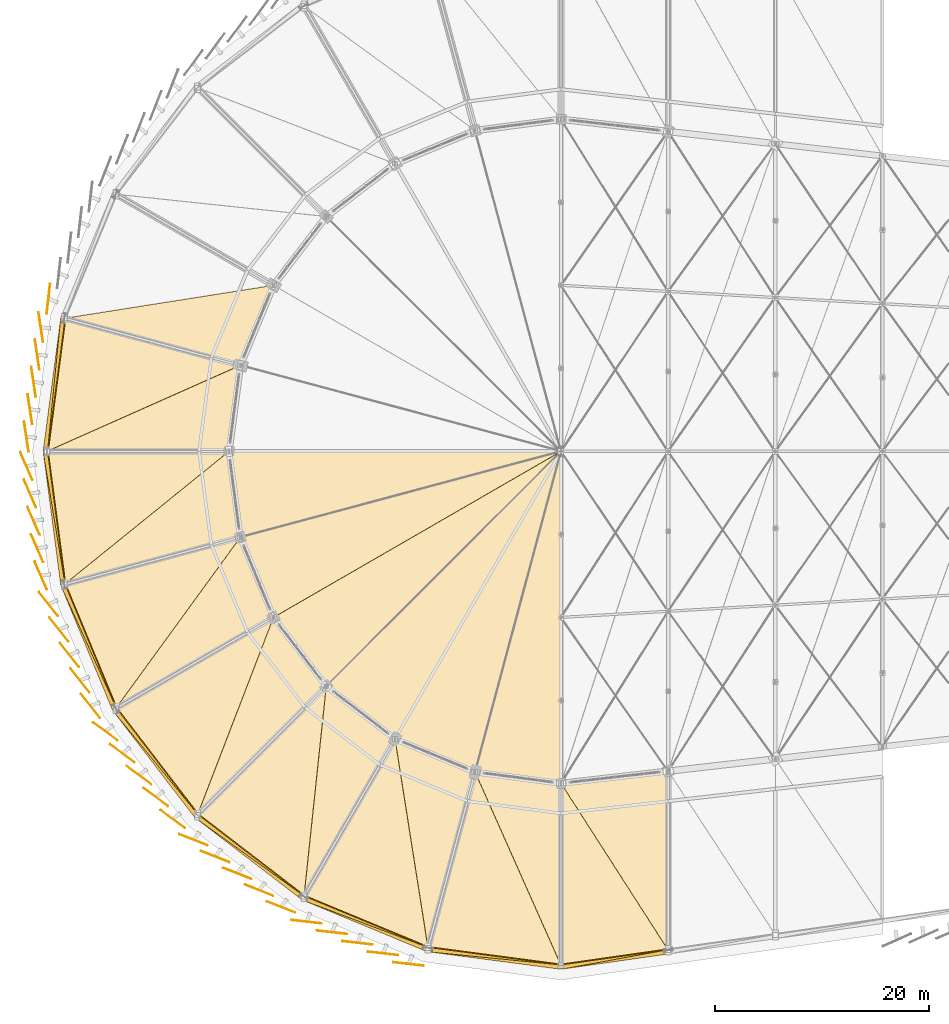
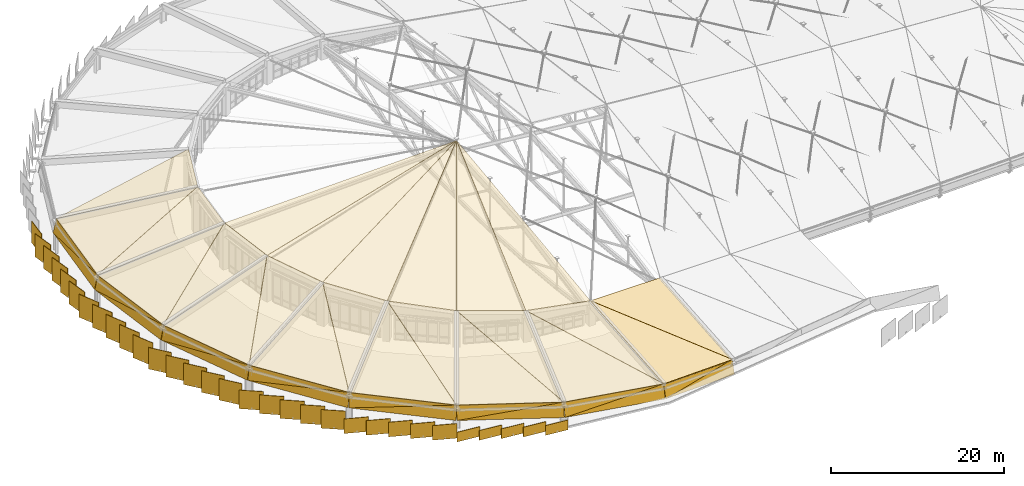
# One storey, part 66 of 68: 70 coverings.
"""IFC4 building model written with IfcOpenShell, lengths in metres."""

from ifc_helpers import new_model, si_unit, direction, frame, origin, origin_2d, place, context, subcontext, project, spatial, polyline, rectangle, outline, extrude, material, layer, layer_set, type_object, element, save


model = new_model("IFC4")

# Units and contexts
model_context = context("Model", 3, precision=1e-05, world=origin(), true_north=direction((0.0, 1.0)))
body_context = subcontext(model_context, "Body", "Model", "MODEL_VIEW")
ifc_project = project(units=[si_unit("LENGTHUNIT", "METRE"), si_unit("AREAUNIT", "SQUARE_METRE"), si_unit("VOLUMEUNIT", "CUBIC_METRE"), si_unit("PLANEANGLEUNIT", "RADIAN"), si_unit("MASSUNIT", "GRAM", prefix="KILO")], contexts=[model_context])

# Site, building, storey
site_placement = place(None, origin())
site = spatial("IfcSite", under=ifc_project, at=site_placement, CompositionType="ELEMENT")
building_placement = place(site_placement, origin())
building = spatial("IfcBuilding", under=site, at=building_placement, Name="Sohan Crest Arena", CompositionType="ELEMENT")
storey_placement = place(building_placement, frame((0.0, 0.0, 27.0)))
storey = spatial("IfcBuildingStorey", under=building, at=storey_placement, Name="RF", CompositionType="ELEMENT", Elevation=27.0)

# Coverings
ifc_material_1 = material(Name="Standing-seam insulated acoustic roof liner", Category="aluminium")
ifc_layer_1 = layer(ifc_material_1, 0.114990234375, Name="Standing-seam insulated acoustic roof liner")
ifc_layer_set_1 = layer_set([ifc_layer_1], Name="Standing-seam insulated acoustic roof liner")
covering_type_1 = type_object("IfcCoveringType", Name="COV-RF2", PredefinedType="ROOFING", material=ifc_layer_set_1)
covering_1_placement = place(storey_placement, frame((67.02099609375, 77.9951171875, 6.30810546875), z_axis=(-0.025650373826, -0.016877268894, 0.999528496901), x_axis=(0.130490512806, -0.991359126362, -0.01339061783)))
element("IfcCovering", 1, at=covering_1_placement, inside=storey, type_object=covering_type_1, Name="Standing-seam acoustic roof covering RF-CV-007", PredefinedType="ROOFING", context=body_context, shape_type="SweptSolid", body=[
    extrude(outline(polyline([(0.0, 0.0), (8.07687130243786, 9.194034422677078e-17), (4.026482537755498, 30.685125165512254), (0.0, 0.0)])), origin(), (0.0, 0.0, -1.0), 0.114990234375),
])
covering_2_placement = place(storey_placement, frame((68.077880859375, 69.97705078125, 6.199951171875), z_axis=(-0.016969693646, -0.049177375769, 0.998645890799), x_axis=(0.38240734973, -0.923171996249, -0.038962600202)))
element("IfcCovering", 2, at=covering_2_placement, inside=storey, type_object=covering_type_1, Name="Standing-seam acoustic roof covering RF-CV-008", PredefinedType="ROOFING", context=body_context, shape_type="SweptSolid", body=[
    extrude(outline(polyline([(0.0, 0.0), (8.083172186166111, -3.937822290467352e-16), (4.001039073977794, 30.69153518886366), (0.0, 0.0)])), origin(), (0.0, 0.0, -1.0), 0.114990234375),
])
covering_3_placement = place(storey_placement, frame((71.174072265625, 62.506103515625, 5.885009765625), z_axis=(-0.000436193293, -0.077682893995, 0.996978022685), x_axis=(0.607669380732, -0.791810703006, -0.061430727863)))
element("IfcCovering", 3, at=covering_3_placement, inside=storey, type_object=covering_type_1, Name="Standing-seam acoustic roof covering RF-CV-009", PredefinedType="ROOFING", context=body_context, shape_type="SweptSolid", body=[
    extrude(outline(polyline([(0.0, 0.0), (8.091558244350722, 6.661338147750939e-16), (3.9579878875626515, 30.70779176164884), (0.0, 0.0)])), origin(), (0.0, 0.0, -1.0), 0.114990234375),
])
covering_4_placement = place(storey_placement, frame((76.09912109375, 56.091064453125, 5.387939453125), z_axis=(0.02228020214, -0.100222015913, 0.994715607658), x_axis=(0.790838144781, -0.606922997976, -0.078863827493)))
element("IfcCovering", 4, at=covering_4_placement, inside=storey, type_object=covering_type_1, Name="Standing-seam acoustic roof covering RF-CV-010", PredefinedType="ROOFING", context=body_context, shape_type="SweptSolid", body=[
    extrude(outline(polyline([(0.0, 0.0), (8.101509094062253, 1.734723475976807e-16), (3.8881420609062682, 30.73983132818911), (0.0, 0.0)])), origin(), (0.0, 0.0, -1.0), 0.114990234375),
])
covering_5_placement = place(storey_placement, frame((82.514892578125, 51.1689453125, 4.7490234375), z_axis=(0.049193937432, -0.115529716806, 0.992085097688), x_axis=(0.920123355045, -0.381144505095, -0.090010431264)))
element("IfcCovering", 5, at=covering_5_placement, inside=storey, type_object=covering_type_1, Name="Standing-seam acoustic roof covering RF-CV-011", PredefinedType="ROOFING", context=body_context, shape_type="SweptSolid", body=[
    extrude(outline(polyline([(0.0, 0.0), (8.109954129746676, 3.3306690738754696e-16), (3.8095929676159965, 30.79247786818549), (0.0, 0.0)])), origin(), (0.0, 0.0, -1.0), 0.114990234375),
])
covering_6_placement = place(storey_placement, frame((89.988037109375, 48.074951171875, 4.01904296875), z_axis=(0.078569357148, -0.123111299512, 0.989277748688), x_axis=(0.987005823883, -0.129917496774, -0.094556584402)))
element("IfcCovering", 6, at=covering_6_placement, inside=storey, type_object=covering_type_1, Name="Standing-seam acoustic roof covering RF-CV-012", PredefinedType="ROOFING", context=body_context, shape_type="SweptSolid", body=[
    extrude(outline(polyline([(0.0, 0.0), (8.112495270420572, -1.942890293094024e-16), (3.72905719370331, 30.866937675788467), (0.0, 0.0)])), origin(), (0.0, 0.0, -1.0), 0.114990234375),
])
covering_7_placement = place(storey_placement, frame((71.137939453125, 93.492919921875, 5.905029296875), z_axis=(-0.069121316275, 0.070630841293, 0.995104782369), x_axis=(-0.986167149081, -0.155473796109, -0.057465231206)))
element("IfcCovering", 7, at=covering_7_placement, inside=storey, type_object=covering_type_1, Name="Standing-seam acoustic roof covering RF-CV-058", PredefinedType="ROOFING", context=body_context, shape_type="SweptSolid", body=[
    extrude(outline(polyline([(0.0, 0.0), (19.75124334845942, 2.3592239273284576e-16), (4.190099380705573, 6.9119886392759184), (0.0, 0.0)])), origin(), (0.0, 0.0, -1.0), 0.114990234375),
])
covering_8_placement = place(storey_placement, frame((68.032958984375, 86.02099609375, 6.219970703125), z_axis=(-0.082910159664, 0.019592759887, 0.99636440582), x_axis=(-0.962413682596, 0.257892053086, -0.085156282846)))
element("IfcCovering", 8, at=covering_8_placement, inside=storey, type_object=covering_type_1, Name="Standing-seam acoustic roof covering RF-CV-059", PredefinedType="ROOFING", context=body_context, shape_type="SweptSolid", body=[
    extrude(outline(polyline([(0.0, 0.0), (17.026942973661264, 5.143455106271233e-16), (15.392034261262342, 12.398418877900673), (0.0, 0.0)])), origin(), (0.0, 0.0, -1.0), 0.114990234375),
])
covering_9_placement = place(storey_placement, frame((68.04296875, 86.011962890625, 6.219970703125), z_axis=(-0.085125620085, 0.024628727638, 0.996065788279), x_axis=(-0.911736618597, -0.405124317574, -0.067901587758)))
element("IfcCovering", 9, at=covering_9_placement, inside=storey, type_object=covering_type_1, Name="Standing-seam acoustic roof covering RF-CV-060", PredefinedType="ROOFING", context=body_context, shape_type="SweptSolid", body=[
    extrude(outline(polyline([(0.0, 0.0), (19.764501242676417, 5.551115123125783e-17), (4.1974650205468444, 6.900513364041789), (0.0, 0.0)])), origin(), (0.0, 0.0, -1.0), 0.114990234375),
])
covering_10_placement = place(storey_placement, frame((66.97802734375, 77.991943359375, 6.327880859375), z_axis=(-0.085134613573, -0.019884467371, 0.996171022229), x_axis=(-0.996368019697, 0.0, -0.08515144934)))
element("IfcCovering", 10, at=covering_10_placement, inside=storey, type_object=covering_type_1, Name="Standing-seam acoustic roof covering RF-CV-061", PredefinedType="ROOFING", context=body_context, shape_type="SweptSolid", body=[
    extrude(outline(polyline([(0.0, 0.0), (17.02790948497241, 0.0), (15.409972780102718, 12.400400971059383), (0.0, 0.0)])), origin(), (0.0, 0.0, -1.0), 0.114990234375),
])
covering_11_placement = place(storey_placement, frame((66.989990234375, 77.986083984375, 6.327880859375), z_axis=(-0.08168117918, -0.024179377797, 0.996365165317), x_axis=(-0.77518243427, -0.626808635748, -0.078759937473)))
element("IfcCovering", 11, at=covering_11_placement, inside=storey, type_object=covering_type_1, Name="Standing-seam acoustic roof covering RF-CV-062", PredefinedType="ROOFING", context=body_context, shape_type="SweptSolid", body=[
    extrude(outline(polyline([(0.0, 0.0), (19.779870046901312, 3.8163916471489756e-16), (4.2103984741830525, 6.892629539923835), (0.0, 0.0)])), origin(), (0.0, 0.0, -1.0), 0.114990234375),
])
covering_12_placement = place(storey_placement, frame((68.037109375, 69.962890625, 6.219970703125), z_axis=(-0.072753046007, -0.057278577531, 0.995703850978), x_axis=(-0.962418298802, -0.257875109561, -0.085155422612)))
element("IfcCovering", 12, at=covering_12_placement, inside=storey, type_object=covering_type_1, Name="Standing-seam acoustic roof covering RF-CV-063", PredefinedType="ROOFING", context=body_context, shape_type="SweptSolid", body=[
    extrude(outline(polyline([(0.0, 0.0), (17.027114978644033, -1.7555401576885288e-15), (15.4271495795794, 12.40726577684972), (0.0, 0.0)])), origin(), (0.0, 0.0, -1.0), 0.114990234375),
])
covering_13_placement = place(storey_placement, frame((68.050048828125, 69.9609375, 6.219970703125), z_axis=(-0.059733967847, -0.06678128993, 0.995977967829), x_axis=(-0.585989681744, -0.805399766714, -0.089147678971)))
element("IfcCovering", 13, at=covering_13_placement, inside=storey, type_object=covering_type_1, Name="Standing-seam acoustic roof covering RF-CV-064", PredefinedType="ROOFING", context=body_context, shape_type="SweptSolid", body=[
    extrude(outline(polyline([(0.0, 0.0), (19.79740357239058, -1.0061396160665481e-16), (4.226568265419724, 6.889858468548237), (0.0, 0.0)])), origin(), (0.0, 0.0, -1.0), 0.114990234375),
])
covering_14_placement = place(storey_placement, frame((71.137939453125, 62.48193359375, 5.905029296875), z_axis=(-0.048104733558, -0.086768342814, 0.995066424564), x_axis=(-0.862865871432, -0.498207610236, -0.085156708605)))
element("IfcCovering", 14, at=covering_14_placement, inside=storey, type_object=covering_type_1, Name="Standing-seam acoustic roof covering RF-CV-065", PredefinedType="ROOFING", context=body_context, shape_type="SweptSolid", body=[
    extrude(outline(polyline([(0.0, 0.0), (17.02685784392425, -8.604228440844963e-16), (15.44294555071398, 12.414737404681253), (0.0, 0.0)])), origin(), (0.0, 0.0, -1.0), 0.114990234375),
])
covering_15_placement = place(storey_placement, frame((71.152099609375, 62.48291015625, 5.905029296875), z_axis=(-0.024366137875, -0.095901477114, 0.99509255751), x_axis=(-0.357316138259, -0.928800177043, -0.098261938021)))
element("IfcCovering", 15, at=covering_15_placement, inside=storey, type_object=covering_type_1, Name="Standing-seam acoustic roof covering RF-CV-066", PredefinedType="ROOFING", context=body_context, shape_type="SweptSolid", body=[
    extrude(outline(polyline([(0.0, 0.0), (19.814604958769877, 1.2906342661267445e-15), (4.242728839702049, 6.890033876148988), (0.0, 0.0)])), origin(), (0.0, 0.0, -1.0), 0.114990234375),
])
covering_16_placement = place(storey_placement, frame((76.071044921875, 56.05908203125, 5.407958984375), z_axis=(-0.01594705614, -0.104237870984, 0.994424535927), x_axis=(-0.704538690199, -0.704538690199, -0.08514968012)))
element("IfcCovering", 16, at=covering_16_placement, inside=storey, type_object=covering_type_1, Name="Standing-seam acoustic roof covering RF-CV-067", PredefinedType="ROOFING", context=body_context, shape_type="SweptSolid", body=[
    extrude(outline(polyline([(0.0, 0.0), (17.02826328686984, 8.049116928532385e-16), (15.456517177428864, 12.42277070249165), (0.0, 0.0)])), origin(), (0.0, 0.0, -1.0), 0.114990234375),
])
covering_17_placement = place(storey_placement, frame((76.0830078125, 56.06396484375, 5.407958984375), z_axis=(0.016508399542, -0.107635411293, 0.994053364252), x_axis=(-0.104687460203, -0.988910523159, -0.105339987004)))
element("IfcCovering", 17, at=covering_17_placement, inside=storey, type_object=covering_type_1, Name="Standing-seam acoustic roof covering RF-CV-068", PredefinedType="ROOFING", context=body_context, shape_type="SweptSolid", body=[
    extrude(outline(polyline([(0.0, 0.0), (19.829765000994804, 2.914335439641036e-16), (4.260003736912967, 6.891764811476193), (0.0, 0.0)])), origin(), (0.0, 0.0, -1.0), 0.114990234375),
])
covering_18_placement = place(storey_placement, frame((82.49609375, 51.1298828125, 4.76904296875), z_axis=(0.01788726403, -0.108421065931, 0.993944122297), x_axis=(-0.498218389695, -0.862859707458, -0.085156100279)))
element("IfcCovering", 18, at=covering_18_placement, inside=storey, type_object=covering_type_1, Name="Standing-seam acoustic roof covering RF-CV-069", PredefinedType="ROOFING", context=body_context, shape_type="SweptSolid", body=[
    extrude(outline(polyline([(0.0, 0.0), (17.026979477957447, 9.575673587391975e-16), (15.462299373668559, 12.42912933326027), (0.0, 0.0)])), origin(), (0.0, 0.0, -1.0), 0.114990234375),
])
covering_19_placement = place(storey_placement, frame((82.507080078125, 51.137939453125, 4.76904296875), z_axis=(0.054692698961, -0.102536624568, 0.993224521094), x_axis=(0.154788122257, -0.981817933685, -0.109882584165)))
element("IfcCovering", 19, at=covering_19_placement, inside=storey, type_object=covering_type_1, Name="Standing-seam acoustic roof covering RF-CV-070", PredefinedType="ROOFING", context=body_context, shape_type="SweptSolid", body=[
    extrude(outline(polyline([(0.0, 0.0), (19.83873656762941, -1.249000902703301e-16), (4.26985061908238, 6.894532533520758), (0.0, 0.0)])), origin(), (0.0, 0.0, -1.0), 0.114990234375),
])
covering_20_placement = place(storey_placement, frame((89.97900390625, 48.032958984375, 4.0390625), z_axis=(0.048200570381, -0.100843576979, 0.993734007669), x_axis=(-0.257892053086, -0.962413682596, -0.085156282846)))
element("IfcCovering", 20, at=covering_20_placement, inside=storey, type_object=covering_type_1, Name="Standing-seam acoustic roof covering RF-CV-071", PredefinedType="ROOFING", context=body_context, shape_type="SweptSolid", body=[
    extrude(outline(polyline([(0.0, 0.0), (17.026942973661264, 5.412337245047638e-16), (15.466546008752962, 12.431237295950435), (0.0, 0.0)])), origin(), (0.0, 0.0, -1.0), 0.114990234375),
])
covering_21_placement = place(storey_placement, frame((89.988037109375, 48.04296875, 4.0390625), z_axis=(0.083947817733, -0.08485087767, 0.992850992071), x_axis=(0.403519057514, -0.908123963627, -0.111728406906)))
element("IfcCovering", 21, at=covering_21_placement, inside=storey, type_object=covering_type_1, Name="Standing-seam acoustic roof covering RF-CV-072", PredefinedType="ROOFING", context=body_context, shape_type="SweptSolid", body=[
    extrude(outline(polyline([(0.0, 0.0), (19.843127428636375, -6.938893903907228e-17), (4.273836995788012, 6.895425791496114), (0.0, 0.0)])), origin(), (0.0, 0.0, -1.0), 0.114990234375),
])
covering_22_placement = place(storey_placement, frame((98.007080078125, 46.97802734375, 3.27197265625), z_axis=(0.10424242377, -0.08468753724, 0.990939724768), x_axis=(0.0, -0.996368019697, -0.08515144934)))
element("IfcCovering", 22, at=covering_22_placement, inside=storey, type_object=covering_type_1, Name="Standing-seam acoustic roof covering RF-CV-073", PredefinedType="ROOFING", context=body_context, shape_type="SweptSolid", body=[
    extrude(outline(polyline([(0.0, 0.0), (17.02790948497241, 0.0), (15.686082106039274, 10.034650067737573), (0.0, 0.0)])), origin(), (0.0, 0.0, -1.0), 0.114990234375),
])
covering_23_placement = place(storey_placement, frame((98.012939453125, 46.989990234375, 3.27197265625), z_axis=(0.102001736097, -0.086148356083, 0.99104697496), x_axis=(0.535972008246, -0.834520925212, -0.127706036507)))
element("IfcCovering", 23, at=covering_23_placement, inside=storey, type_object=covering_type_1, Name="Standing-seam acoustic roof covering RF-CV-074", PredefinedType="ROOFING", context=body_context, shape_type="SweptSolid", body=[
    extrude(outline(polyline([(0.0, 0.0), (18.620338963999327, -4.163336342344337e-16), (4.5152157210416695, 9.020871398883614), (0.0, 0.0)])), origin(), (0.0, 0.0, -1.0), 0.114990234375),
])
ifc_material_2 = material(Name="Glazed ivory trencadis ceramic cladding", Category="masonry")
ifc_layer_2 = layer(ifc_material_2, 0.06494140625, Name="Glazed ivory trencadis ceramic cladding")
ifc_layer_set_2 = layer_set([ifc_layer_2], Name="Glazed ivory trencadis ceramic cladding")
covering_type_2 = type_object("IfcCoveringType", Name="COV-SC-IV", PredefinedType="CLADDING", material=ifc_layer_set_2)
covering_24_placement = place(storey_placement, frame((50.14111328125, 92.24609375, -0.12548828125), z_axis=(0.0, 0.0, 1.0), x_axis=(-0.113203213768, -0.993571855677, 0.0)))
element("IfcCovering", 24, at=covering_24_placement, inside=storey, type_object=covering_type_2, Name="Upper nose rotated white scale panel SC-0668", PredefinedType="CLADDING", context=body_context, shape_type="SweptSolid", body=[
    extrude(rectangle(XDim=2.85009765625, YDim=0.06494140625, at=origin_2d()), origin(), (0.0, 0.0, 1.0), 3.031005859375),
])
covering_25_placement = place(storey_placement, frame((51.2890625, 90.468994140625, 2.839111328125), z_axis=(-0.969887226444, 0.129515234504, 0.206263355961), x_axis=(-0.130557024503, -0.991403401257, 0.008611581082)))
element("IfcCovering", 25, at=covering_25_placement, inside=storey, type_object=covering_type_2, Name="Rising white parabolic roof-edge nose fascia NF-0669", PredefinedType="CLADDING", context=body_context, shape_type="SweptSolid", body=[
    extrude(outline(polyline([(0.0, 0.0), (12.530818118408577, 4.163336342344337e-17), (12.547874793264805, 1.941579768785615), (0.0, 0.0)])), origin(), (0.0, 0.0, -1.0), 0.0849609375),
])
covering_26_placement = place(storey_placement, frame((51.2890625, 90.468994140625, 2.839111328125), z_axis=(-0.969887226444, 0.129515234504, 0.206263355961), x_axis=(-0.097581643896, -0.982584663322, 0.158130332886)))
element("IfcCovering", 26, at=covering_26_placement, inside=storey, type_object=covering_type_2, Name="Rising white parabolic roof-edge nose fascia NF-0670", PredefinedType="CLADDING", context=body_context, shape_type="SweptSolid", body=[
    extrude(outline(polyline([(0.0, 0.0), (12.697200235721569, -4.440892098500626e-16), (0.3137508226290153, 1.9161376124940426), (0.0, 0.0)])), origin(), (0.0, 0.0, -1.0), 0.0849609375),
])
for number, where, z_axis, x_axis, name in (
    (27, (49.429931640625, 89.592041015625, -0.12451171875), (0.0, 0.0, 1.0), (0.14780941113, -0.989015863362, 0.0), "Upper nose rotated white scale panel SC-0671"),
    (28, (49.093994140625, 87.0380859375, -0.12451171875), (0.0, 0.0, 1.0), (0.14780941113, -0.989015863362, 0.0), "Upper nose rotated white scale panel SC-0672"),
    (29, (48.757080078125, 84.48291015625, -0.12451171875), (0.0, 0.0, 1.0), (0.14780941113, -0.989015863362, 0.0), "Upper nose rotated white scale panel SC-0673"),
    (30, (48.4208984375, 81.928955078125, -0.12451171875), (0.0, 0.0, 1.0), (0.14780941113, -0.989015863362, 0.0), "Upper nose rotated white scale panel SC-0674"),
    (31, (48.0849609375, 79.3740234375, -0.12451171875), (0.0, 0.0, 1.0), (0.14780941113, -0.989015863362, 0.0), "Upper nose rotated white scale panel SC-0675"),
):
    element("IfcCovering", number, at=place(storey_placement, frame(where, z_axis=z_axis, x_axis=x_axis)), inside=storey, type_object=covering_type_2, Name=name, PredefinedType="CLADDING", context=body_context, shape_type="SweptSolid", body=[
        extrude(rectangle(XDim=2.85009765625, YDim=0.06494140625, at=origin_2d()), origin(), (0.0, 0.0, 1.0), 3.242919921875),
    ])
covering_27_placement = place(storey_placement, frame((49.653076171875, 77.9541015625, 2.947021484375), z_axis=(-0.969887226444, -0.129515234504, 0.206263355961), x_axis=(0.130557024503, -0.991403401257, -0.008611581082)))
element("IfcCovering", 32, at=covering_27_placement, inside=storey, type_object=covering_type_2, Name="Rising white parabolic roof-edge nose fascia NF-0676", PredefinedType="CLADDING", context=body_context, shape_type="SweptSolid", body=[
    extrude(outline(polyline([(0.0, 0.0), (12.530818118408577, -4.163336342344337e-17), (12.513761443552351, 1.9415797687856147), (0.0, 0.0)])), origin(), (0.0, 0.0, -1.0), 0.0849609375),
])
covering_28_placement = place(storey_placement, frame((49.653076171875, 77.9541015625, 2.947021484375), z_axis=(-0.969887226444, -0.129515234504, 0.206263355961), x_axis=(0.160537033689, -0.976833244021, 0.141508565783)))
element("IfcCovering", 33, at=covering_28_placement, inside=storey, type_object=covering_type_2, Name="Rising white parabolic roof-edge nose fascia NF-0677", PredefinedType="CLADDING", context=body_context, shape_type="SweptSolid", body=[
    extrude(outline(polyline([(0.0, 0.0), (12.663489150494621, 0.0), (0.2808300932012589, 1.9212385035354993), (0.0, 0.0)])), origin(), (0.0, 0.0, -1.0), 0.0849609375),
])
for number, where, z_axis, x_axis, name in (
    (34, (48.0849609375, 76.6259765625, -0.12451171875), (0.0, 0.0, 1.0), (0.398749068925, -0.917060074385, 0.0), "Upper nose rotated white scale panel SC-0678"),
    (35, (48.4208984375, 74.071044921875, -0.12451171875), (0.0, 0.0, 1.0), (0.398749068925, -0.917060074385, 0.0), "Upper nose rotated white scale panel SC-0679"),
    (36, (48.757080078125, 71.51708984375, -0.12451171875), (0.0, 0.0, 1.0), (0.398749068925, -0.917060074385, 0.0), "Upper nose rotated white scale panel SC-0680"),
    (37, (49.093994140625, 68.9619140625, -0.12451171875), (0.0, 0.0, 1.0), (0.398749068925, -0.917060074385, 0.0), "Upper nose rotated white scale panel SC-0681"),
    (38, (49.429931640625, 66.407958984375, -0.12451171875), (0.0, 0.0, 1.0), (0.398749068925, -0.917060074385, 0.0), "Upper nose rotated white scale panel SC-0682"),
):
    element("IfcCovering", number, at=place(storey_placement, frame(where, z_axis=z_axis, x_axis=x_axis)), inside=storey, type_object=covering_type_2, Name=name, PredefinedType="CLADDING", context=body_context, shape_type="SweptSolid", body=[
        extrude(rectangle(XDim=2.85009765625, YDim=0.06494140625, at=origin_2d()), origin(), (0.0, 0.0, 1.0), 3.242919921875),
    ])
covering_29_placement = place(storey_placement, frame((51.31298828125, 65.443115234375, 2.839111328125), z_axis=(-0.902121892126, -0.379235970036, 0.205806148543), x_axis=(0.38252906664, -0.923601239311, -0.025144858708)))
element("IfcCovering", 39, at=covering_29_placement, inside=storey, type_object=covering_type_2, Name="Rising white parabolic roof-edge nose fascia NF-0683", PredefinedType="CLADDING", context=body_context, shape_type="SweptSolid", body=[
    extrude(outline(polyline([(0.0, 0.0), (12.534790930056278, -2.7755575615628914e-16), (12.486837691868912, 1.941121908704168), (0.0, 0.0)])), origin(), (0.0, 0.0, -1.0), 0.0849609375),
])
covering_30_placement = place(storey_placement, frame((51.31298828125, 65.443115234375, 2.839111328125), z_axis=(-0.902140773598, -0.37926287133, 0.205673768486), x_axis=(0.40865224984, -0.904031047976, 0.125424092566)))
element("IfcCovering", 40, at=covering_30_placement, inside=storey, type_object=covering_type_2, Name="Rising white parabolic roof-edge nose fascia NF-0684", PredefinedType="CLADDING", context=body_context, shape_type="SweptSolid", body=[
    extrude(outline(polyline([(0.0, 0.0), (12.636814068725133, 0.0), (0.25087900435246335, 1.92513139471624), (0.0, 0.0)])), origin(), (0.0, 0.0, -1.0), 0.0849609375),
])
for number, where, z_axis, x_axis, name in (
    (41, (50.14111328125, 63.75390625, -0.12548828125), (0.0, 0.0, 1.0), (0.622514636638, -0.782608156852, 0.0), "Upper nose rotated white scale panel SC-0685"),
    (42, (51.126953125, 61.373046875, -0.12548828125), (0.0, 0.0, 1.0), (0.622514636638, -0.782608156852, 0.0), "Upper nose rotated white scale panel SC-0686"),
    (43, (52.113037109375, 58.992919921875, -0.12548828125), (0.0, 0.0, 1.0), (0.622514636638, -0.782608156852, 0.0), "Upper nose rotated white scale panel SC-0687"),
    (44, (53.09912109375, 56.612060546875, -0.12548828125), (0.0, 0.0, 1.0), (0.622514636638, -0.782608156852, 0.0), "Upper nose rotated white scale panel SC-0688"),
    (45, (54.0849609375, 54.23193359375, -0.12548828125), (0.0, 0.0, 1.0), (0.622514636638, -0.782608156852, 0.0), "Upper nose rotated white scale panel SC-0689"),
):
    element("IfcCovering", number, at=place(storey_placement, frame(where, z_axis=z_axis, x_axis=x_axis)), inside=storey, type_object=covering_type_2, Name=name, PredefinedType="CLADDING", context=body_context, shape_type="SweptSolid", body=[
        extrude(rectangle(XDim=2.85009765625, YDim=0.06494140625, at=origin_2d()), origin(), (0.0, 0.0, 1.0), 3.031005859375),
    ])
covering_31_placement = place(storey_placement, frame((56.153076171875, 53.787109375, 2.52392578125), z_axis=(-0.771305076996, -0.602134034152, 0.206211258461), x_axis=(0.608273828775, -0.792737870756, -0.039618398462)))
element("IfcCovering", 46, at=covering_31_placement, inside=storey, type_object=covering_type_2, Name="Rising white parabolic roof-edge nose fascia NF-0690", PredefinedType="CLADDING", context=body_context, shape_type="SweptSolid", body=[
    extrude(outline(polyline([(0.0, 0.0), (12.540289137311671, -1.1102230246251565e-16), (12.46575385967184, 1.9402060384935569), (0.0, 0.0)])), origin(), (0.0, 0.0, -1.0), 0.0849609375),
])
covering_32_placement = place(storey_placement, frame((56.153076171875, 53.787109375, 2.52392578125), z_axis=(-0.77132336742, -0.602177144213, 0.206016867901), x_axis=(0.629846678895, -0.768715999193, 0.111215438093)))
element("IfcCovering", 47, at=covering_32_placement, inside=storey, type_object=covering_type_2, Name="Rising white parabolic roof-edge nose fascia NF-0691", PredefinedType="CLADDING", context=body_context, shape_type="SweptSolid", body=[
    extrude(outline(polyline([(0.0, 0.0), (12.61583999429805, -2.220446049250313e-16), (0.22479924594737027, 1.9287493569123346), (0.0, 0.0)])), origin(), (0.0, 0.0, -1.0), 0.0849609375),
])
for number, where, z_axis, x_axis, name in (
    (48, (55.458984375, 51.85205078125, -0.12451171875), (0.0, 0.0, 1.0), (0.803856860617, -0.594822786751, 0.0), "Upper nose rotated white scale panel SC-0692"),
    (49, (57.027099609375, 49.80810546875, -0.12451171875), (0.0, 0.0, 1.0), (0.803856860617, -0.594822786751, 0.0), "Upper nose rotated white scale panel SC-0693"),
    (50, (58.595947265625, 47.763916015625, -0.12451171875), (0.0, 0.0, 1.0), (0.803856860617, -0.594822786751, 0.0), "Upper nose rotated white scale panel SC-0694"),
    (51, (60.1640625, 45.719970703125, -0.12451171875), (0.0, 0.0, 1.0), (0.803856860617, -0.594822786751, 0.0), "Upper nose rotated white scale panel SC-0695"),
    (52, (61.73291015625, 43.676025390625, -0.12451171875), (0.0, 0.0, 1.0), (0.803856860617, -0.594822786751, 0.0), "Upper nose rotated white scale panel SC-0696"),
):
    element("IfcCovering", number, at=place(storey_placement, frame(where, z_axis=z_axis, x_axis=x_axis)), inside=storey, type_object=covering_type_2, Name=name, PredefinedType="CLADDING", context=body_context, shape_type="SweptSolid", body=[
        extrude(rectangle(XDim=2.85009765625, YDim=0.06494140625, at=origin_2d()), origin(), (0.0, 0.0, 1.0), 2.625),
    ])
covering_33_placement = place(storey_placement, frame((63.845947265625, 43.781005859375, 2.027099609375), z_axis=(-0.587321118752, -0.78269390697, 0.206019784149), x_axis=(0.792330648522, -0.607961364042, -0.050942352166)))
element("IfcCovering", 53, at=covering_33_placement, inside=storey, type_object=covering_type_2, Name="Rising white parabolic roof-edge nose fascia NF-0697", PredefinedType="CLADDING", context=body_context, shape_type="SweptSolid", body=[
    extrude(outline(polyline([(0.0, 0.0), (12.546734280586904, 0.0), (12.449155904706025, 1.93935227417009), (0.0, 0.0)])), origin(), (0.0, 0.0, -1.0), 0.0849609375),
])
covering_34_placement = place(storey_placement, frame((63.845947265625, 43.781005859375, 2.027099609375), z_axis=(-0.587312898537, -0.782648998211, 0.206213735751), x_axis=(0.808304851164, -0.580195230703, 0.100083774183)))
element("IfcCovering", 54, at=covering_34_placement, inside=storey, type_object=covering_type_2, Name="Rising white parabolic roof-edge nose fascia NF-0698", PredefinedType="CLADDING", context=body_context, shape_type="SweptSolid", body=[
    extrude(outline(polyline([(0.0, 0.0), (12.599308313673635, 0.0), (0.20213114669031196, 1.9310872530668748), (0.0, 0.0)])), origin(), (0.0, 0.0, -1.0), 0.0849609375),
])
for number, where, z_axis, x_axis, name in (
    (55, (63.676025390625, 41.73291015625, -0.12451171875), (0.0, 0.0, 1.0), (0.930417567982, -0.366501226724, 0.0), "Upper nose rotated white scale panel SC-0699"),
    (56, (65.719970703125, 40.1640625, -0.12451171875), (0.0, 0.0, 1.0), (0.930417567982, -0.366501226724, 0.0), "Upper nose rotated white scale panel SC-0700"),
    (57, (67.763916015625, 38.595947265625, -0.12451171875), (0.0, 0.0, 1.0), (0.930417567982, -0.366501226724, 0.0), "Upper nose rotated white scale panel SC-0701"),
    (58, (69.80810546875, 37.027099609375, -0.12451171875), (0.0, 0.0, 1.0), (0.930417567982, -0.366501226724, 0.0), "Upper nose rotated white scale panel SC-0702"),
    (59, (71.85205078125, 35.458984375, -0.12451171875), (0.0, 0.0, 1.0), (0.930417567982, -0.366501226724, 0.0), "Upper nose rotated white scale panel SC-0703"),
):
    element("IfcCovering", number, at=place(storey_placement, frame(where, z_axis=z_axis, x_axis=x_axis)), inside=storey, type_object=covering_type_2, Name=name, PredefinedType="CLADDING", context=body_context, shape_type="SweptSolid", body=[
        extrude(rectangle(XDim=2.85009765625, YDim=0.06494140625, at=origin_2d()), origin(), (0.0, 0.0, 1.0), 2.056884765625),
    ])
covering_35_placement = place(storey_placement, frame((73.865966796875, 36.10791015625, 1.387939453125), z_axis=(-0.363376619984, -0.908664526269, 0.205636112463), x_axis=(0.922329665907, -0.382002417512, -0.058156172523)))
element("IfcCovering", 60, at=covering_35_placement, inside=storey, type_object=covering_type_2, Name="Rising white parabolic roof-edge nose fascia NF-0704", PredefinedType="CLADDING", context=body_context, shape_type="SweptSolid", body=[
    extrude(outline(polyline([(0.0, 0.0), (12.552072068627503, -1.1102230246251565e-16), (12.441608989342159, 1.9385037570656671), (0.0, 0.0)])), origin(), (0.0, 0.0, -1.0), 0.0849609375),
])
covering_36_placement = place(storey_placement, frame((73.865966796875, 36.10791015625, 1.387939453125), z_axis=(-0.363378569764, -0.908628302283, 0.20579267073), x_axis=(0.931562946473, -0.351502823473, 0.092931382476)))
element("IfcCovering", 61, at=covering_36_placement, inside=storey, type_object=covering_type_2, Name="Rising white parabolic roof-edge nose fascia NF-0705", PredefinedType="CLADDING", context=body_context, shape_type="SweptSolid", body=[
    extrude(outline(polyline([(0.0, 0.0), (12.591720734666781, 0.0), (0.18942935746038472, 1.9324518871206375), (0.0, 0.0)])), origin(), (0.0, 0.0, -1.0), 0.0849609375),
])
for number, where, z_axis, x_axis, name in (
    (62, (74.23193359375, 34.0849609375, -0.12451171875), (0.0, 0.0, 1.0), (0.993571855677, -0.113203213768, 0.0), "Upper nose rotated white scale panel SC-0706"),
    (63, (76.612060546875, 33.09912109375, -0.12451171875), (0.0, 0.0, 1.0), (0.993571855677, -0.113203213768, 0.0), "Upper nose rotated white scale panel SC-0707"),
    (64, (78.992919921875, 32.113037109375, -0.12451171875), (0.0, 0.0, 1.0), (0.993571855677, -0.113203213768, 0.0), "Upper nose rotated white scale panel SC-0708"),
    (65, (81.373046875, 31.126953125, -0.12451171875), (0.0, 0.0, 1.0), (0.993571855677, -0.113203213768, 0.0), "Upper nose rotated white scale panel SC-0709"),
    (66, (83.75390625, 30.14111328125, -0.12451171875), (0.0, 0.0, 1.0), (0.993571855677, -0.113203213768, 0.0), "Upper nose rotated white scale panel SC-0710"),
):
    element("IfcCovering", number, at=place(storey_placement, frame(where, z_axis=z_axis, x_axis=x_axis)), inside=storey, type_object=covering_type_2, Name=name, PredefinedType="CLADDING", context=body_context, shape_type="SweptSolid", body=[
        extrude(rectangle(XDim=2.85009765625, YDim=0.06494140625, at=origin_2d()), origin(), (0.0, 0.0, 1.0), 1.373046875),
    ])
covering_37_placement = place(storey_placement, frame((85.531005859375, 31.2890625, 0.657958984375), z_axis=(-0.115230497993, -0.971692382198, 0.206242203999), x_axis=(0.98958873119, -0.13031805223, -0.061084763775)))
element("IfcCovering", 67, at=covering_37_placement, inside=storey, type_object=covering_type_2, Name="Rising white parabolic roof-edge nose fascia NF-0711", PredefinedType="CLADDING", context=body_context, shape_type="SweptSolid", body=[
    extrude(outline(polyline([(0.0, 0.0), (12.553796654686424, -2.220446049250313e-16), (12.438435807530535, 1.938224652525663), (0.0, 0.0)])), origin(), (0.0, 0.0, -1.0), 0.0849609375),
])
covering_38_placement = place(storey_placement, frame((85.531005859375, 31.2890625, 0.657958984375), z_axis=(-0.115228748628, -0.971697976047, 0.206216824811), x_axis=(0.991065828526, -0.098423918433, 0.090006976443)))
element("IfcCovering", 68, at=covering_38_placement, inside=storey, type_object=covering_type_2, Name="Rising white parabolic roof-edge nose fascia NF-0712", PredefinedType="CLADDING", context=body_context, shape_type="SweptSolid", body=[
    extrude(outline(polyline([(0.0, 0.0), (12.58854241529638, 2.220446049250313e-16), (0.18446003200038416, 1.9331128191611318), (0.0, 0.0)])), origin(), (0.0, 0.0, -1.0), 0.0849609375),
])
covering_39_placement = place(storey_placement, frame((98.050048828125, 29.654052734375, -0.10888671875), z_axis=(0.156365252587, -0.966071261029, 0.205563193196), x_axis=(0.986114674663, 0.140911357197, -0.087873988343)))
element("IfcCovering", 69, at=covering_39_placement, inside=storey, type_object=covering_type_2, Name="Rising white parabolic roof-edge nose fascia NF-0713", PredefinedType="CLADDING", context=body_context, shape_type="SweptSolid", body=[
    extrude(outline(polyline([(0.0, 0.0), (10.140808424150382, 0.0), (9.973183513210623, 1.9341238189468304), (0.0, 0.0)])), origin(), (0.0, 0.0, -1.0), 0.0849609375),
])
covering_40_placement = place(storey_placement, frame((98.050048828125, 29.654052734375, -0.10888671875), z_axis=(0.156365252587, -0.966071261029, 0.205563193196), x_axis=(0.978725644583, 0.179542780795, 0.099300062943)))
element("IfcCovering", 70, at=covering_40_placement, inside=storey, type_object=covering_type_2, Name="Rising white parabolic roof-edge nose fascia NF-0714", PredefinedType="CLADDING", context=body_context, shape_type="SweptSolid", body=[
    extrude(outline(polyline([(0.0, 0.0), (10.15899721110276, -2.220446049250313e-16), (0.20366980183520028, 1.9306609411301212), (0.0, 0.0)])), origin(), (0.0, 0.0, -1.0), 0.0849609375),
])

save(model, "model.ifc")
